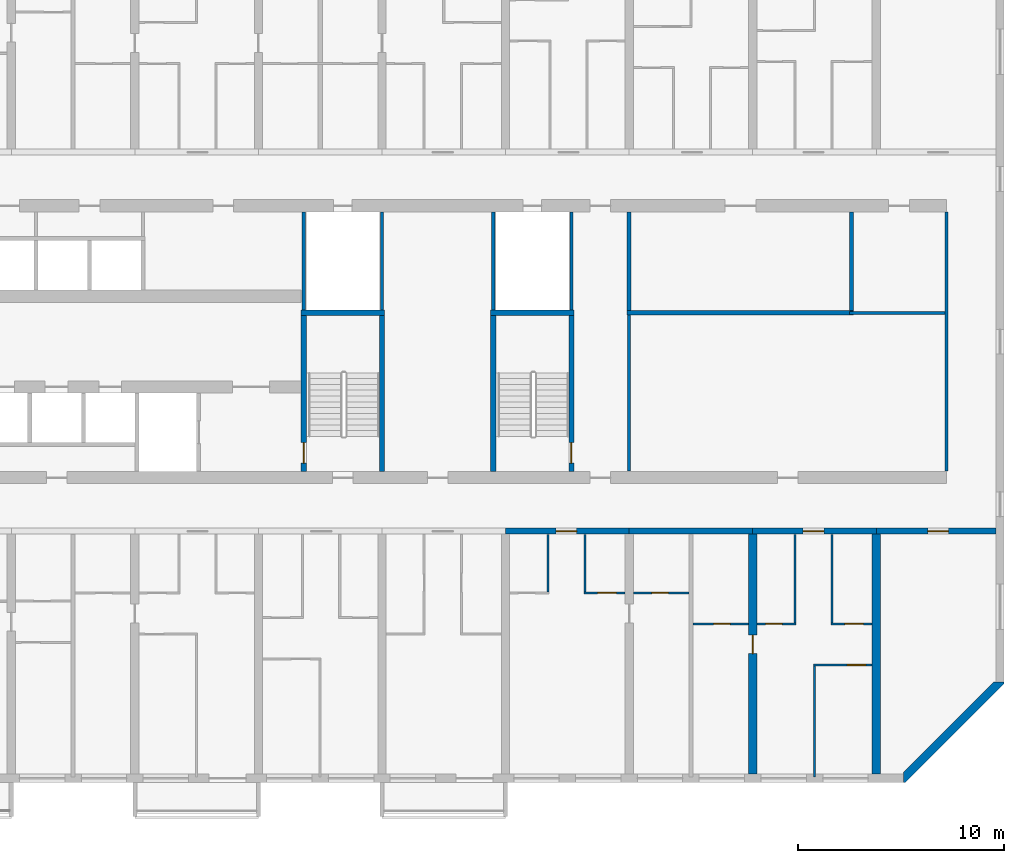
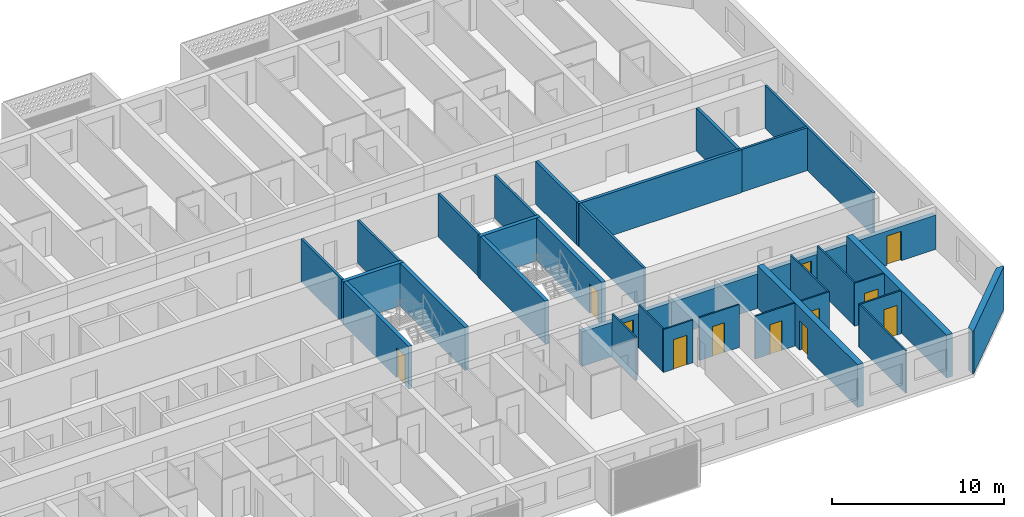
# One storey, part 15 of 40: 34 walls, 12 doors, 12 openings.
"""IFC4 building model written with IfcOpenShell, lengths in metres."""

from ifc_helpers import new_model, si_unit, direction, frame, frame_2d, origin, place, context, subcontext, project, spatial, polyline, rectangle, outline, extrude, material, layer, layer_set, type_object, element, fill, save


model = new_model("IFC4")

# Units and contexts
model_context = context("Model", 3, precision=1e-05, world=origin(), true_north=direction((0.0, 1.0)))
body_context = subcontext(model_context, "Body", "Model", "MODEL_VIEW")
ifc_project = project(units=[si_unit("LENGTHUNIT", "METRE"), si_unit("AREAUNIT", "SQUARE_METRE"), si_unit("VOLUMEUNIT", "CUBIC_METRE"), si_unit("PLANEANGLEUNIT", "RADIAN"), si_unit("MASSUNIT", "GRAM", prefix="KILO")], contexts=[model_context])

# Site, building, storey
site_placement = place(None, origin())
site = spatial("IfcSite", under=ifc_project, at=site_placement, CompositionType="ELEMENT")
building_placement = place(site_placement, origin())
building = spatial("IfcBuilding", under=site, at=building_placement, Name="Poui Terraces", CompositionType="ELEMENT")
storey_placement = place(building_placement, frame((0.0, 0.0, 39.89990234375)))
storey = spatial("IfcBuildingStorey", under=building, at=storey_placement, Name="L10", CompositionType="ELEMENT", Elevation=39.89990234375)

# Walls
ifc_material_1 = material(Name="Fire-rated plasterboard wall")
ifc_layer_1 = layer(ifc_material_1, 0.14990234375)
ifc_layer_set_1 = layer_set([ifc_layer_1], Name="Fire-rated plasterboard wall")
wall_type_1 = type_object("IfcWallType", Name="CORRIDOR WALL 150", PredefinedType="PARTITIONING", material=ifc_layer_set_1)
wall_1_placement = place(storey_placement, frame((84.0, 14.909912109375, 0.0), z_axis=(0.0, 0.0, 1.0), x_axis=(0.0, 1.0, 0.0)))
element("IfcWall", 1, at=wall_1_placement, inside=storey, type_object=wall_type_1, Name="CORRIDOR WALL 150", PredefinedType="PARTITIONING", context=body_context, shape_type="SweptSolid", body=[
    extrude(rectangle(XDim=7.590087890625, YDim=0.14990234375, at=frame_2d((3.794921875, 0.0))), origin(), (0.0, 0.0, 1.0), 3.050048828125),
])
wall_2_placement = place(storey_placement, frame((99.39990234375, 14.909912109375, 0.0), z_axis=(0.0, 0.0, 1.0), x_axis=(0.0, 1.0, 0.0)))
element("IfcWall", 2, at=wall_2_placement, inside=storey, type_object=wall_type_1, Name="CORRIDOR WALL 150", PredefinedType="PARTITIONING", context=body_context, shape_type="SweptSolid", body=[
    extrude(rectangle(XDim=12.580078125, YDim=0.14990234375, at=frame_2d((6.2900390625, 0.0))), origin(), (0.0, 0.0, 1.0), 3.050048828125),
])

# Wall, opening, door
ifc_material_2 = material(Name="Concrete 80 MPa", Category="concrete")
ifc_layer_2 = layer(ifc_material_2, 0.300048828125)
ifc_layer_set_2 = layer_set([ifc_layer_2], Name="Concrete 80 MPa")
wall_type_2 = type_object("IfcWallType", Name="CORRIDOR WALL 300 80MPa", PredefinedType="SHEAR", material=ifc_layer_set_2)
wall_3_placement = place(storey_placement, frame((78.0, 12.0, 0.0), z_axis=(0.0, 0.0, 1.0), x_axis=(1.0, 0.0, 0.0)))
wall_3 = element("IfcWall", 3, at=wall_3_placement, inside=storey, type_object=wall_type_2, Name="CORRIDOR WALL LINE B BAY 14", PredefinedType="SHEAR", context=body_context, shape_type="SweptSolid", body=[
    extrude(rectangle(XDim=6.0, YDim=0.300048828125, at=frame_2d((3.0, 0.0))), origin(), (0.0, 0.0, 1.0), 2.4501953125),
])
opening_1_placement = place(wall_3_placement, frame((2.449951171875, 0.0, 0.0)))
opening_1 = element("IfcOpeningElement", 4, at=opening_1_placement, cuts=wall_3, Name="Opening FD30S", PredefinedType="OPENING", context=body_context, shape_type="SweptSolid", body=[
    extrude(rectangle(XDim=1.0, YDim=2.10009765625, at=frame_2d((0.5, 1.050048828125))), frame((0.0, 0.16015625, 0.0), z_axis=(0.0, -1.0, 0.0), x_axis=(1.0, 0.0, 0.0)), (0.0, 0.0, 1.0), 0.320068359375),
])
ifc_material_3 = material(Name="Steel fire door", Category="steel")
door_type_1 = type_object("IfcDoorType", Name="FLAT ENTRANCE DOOR 1000 X 2100", OperationType="NOTDEFINED", PredefinedType="DOOR", material=ifc_material_3)
door_1_placement = place(opening_1_placement, frame((1.0, 0.0, 0.0), z_axis=(0.0, 0.0, 1.0), x_axis=(-1.0, 0.0, 0.0)))
door_1 = element("IfcDoor", 5, at=door_1_placement, inside=storey, type_object=door_type_1, Name="FLAT ENTRANCE DOOR 139", OperationType="SINGLE_SWING_RIGHT", OverallHeight=2.10009765625, OverallWidth=1.0, PredefinedType="DOOR", context=body_context, shape_type="SweptSolid", body=[
    extrude(rectangle(XDim=1.0, YDim=2.10009765625, at=frame_2d((0.5, 1.050048828125))), frame((0.0, 0.02490234375, 0.0), z_axis=(0.0, -1.0, 0.0), x_axis=(1.0, 0.0, 0.0)), (0.0, 0.0, 1.0), 0.050048828125),
])
fill(opening_1, door_1)

# Wall
wall_4_placement = place(storey_placement, frame((84.0, 12.0, 0.0), z_axis=(0.0, 0.0, 1.0), x_axis=(1.0, 0.0, 0.0)))
element("IfcWall", 6, at=wall_4_placement, inside=storey, type_object=wall_type_2, Name="CORRIDOR WALL LINE B BAY 15", PredefinedType="SHEAR", context=body_context, shape_type="SweptSolid", body=[
    extrude(rectangle(XDim=6.0, YDim=0.300048828125, at=frame_2d((3.0, 0.0))), origin(), (0.0, 0.0, 1.0), 2.4501953125),
])

# Wall, opening, door
wall_5_placement = place(storey_placement, frame((90.0, 12.0, 0.0), z_axis=(0.0, 0.0, 1.0), x_axis=(1.0, 0.0, 0.0)))
wall_5 = element("IfcWall", 7, at=wall_5_placement, inside=storey, type_object=wall_type_2, Name="CORRIDOR WALL LINE B BAY 16", PredefinedType="SHEAR", context=body_context, shape_type="SweptSolid", body=[
    extrude(rectangle(XDim=6.0, YDim=0.300048828125, at=frame_2d((3.0, 0.0))), origin(), (0.0, 0.0, 1.0), 2.4501953125),
])
opening_2_placement = place(wall_5_placement, frame((2.449951171875, 0.0, 0.0)))
opening_2 = element("IfcOpeningElement", 8, at=opening_2_placement, cuts=wall_5, Name="Opening FD30S", PredefinedType="OPENING", context=body_context, shape_type="SweptSolid", body=[
    extrude(rectangle(XDim=1.0, YDim=2.10009765625, at=frame_2d((0.5, 1.050048828125))), frame((0.0, 0.16015625, 0.0), z_axis=(0.0, -1.0, 0.0), x_axis=(1.0, 0.0, 0.0)), (0.0, 0.0, 1.0), 0.320068359375),
])
door_2_placement = place(opening_2_placement, frame((1.0, 0.0, 0.0), z_axis=(0.0, 0.0, 1.0), x_axis=(-1.0, 0.0, 0.0)))
door_2 = element("IfcDoor", 9, at=door_2_placement, inside=storey, type_object=door_type_1, Name="FLAT ENTRANCE DOOR 145", OperationType="SINGLE_SWING_RIGHT", OverallHeight=2.10009765625, OverallWidth=1.0, PredefinedType="DOOR", context=body_context, shape_type="SweptSolid", body=[
    extrude(rectangle(XDim=1.0, YDim=2.10009765625, at=frame_2d((0.5, 1.050048828125))), frame((0.0, 0.02490234375, 0.0), z_axis=(0.0, -1.0, 0.0), x_axis=(1.0, 0.0, 0.0)), (0.0, 0.0, 1.0), 0.050048828125),
])
fill(opening_2, door_2)

wall_6_placement = place(storey_placement, frame((96.0, 12.0, 0.0), z_axis=(0.0, 0.0, 1.0), x_axis=(1.0, 0.0, 0.0)))
wall_6 = element("IfcWall", 10, at=wall_6_placement, inside=storey, type_object=wall_type_2, Name="CORRIDOR WALL LINE B BAY 17", PredefinedType="SHEAR", context=body_context, shape_type="SweptSolid", body=[
    extrude(rectangle(XDim=5.800048828125, YDim=0.300048828125, at=frame_2d((2.89990234375, 0.0))), origin(), (0.0, 0.0, 1.0), 2.4501953125),
])
opening_3_placement = place(wall_6_placement, frame((2.5, 0.0, 0.0)))
opening_3 = element("IfcOpeningElement", 11, at=opening_3_placement, cuts=wall_6, Name="Opening D100", PredefinedType="OPENING", context=body_context, shape_type="SweptSolid", body=[
    extrude(rectangle(XDim=1.0, YDim=2.10009765625, at=frame_2d((0.5, 1.050048828125))), frame((0.0, 0.16015625, 0.0), z_axis=(0.0, -1.0, 0.0), x_axis=(1.0, 0.0, 0.0)), (0.0, 0.0, 1.0), 0.320068359375),
])
ifc_material_4 = material(Name="Solid core timber door", Category="wood")
door_type_2 = type_object("IfcDoorType", Name="ACCESSIBLE INTERNAL DOOR 1000 X 2100", OperationType="NOTDEFINED", PredefinedType="DOOR", material=ifc_material_4)
door_3_placement = place(opening_3_placement, frame((1.0, 0.0, 0.0), z_axis=(0.0, 0.0, 1.0), x_axis=(-1.0, 0.0, 0.0)))
door_3 = element("IfcDoor", 12, at=door_3_placement, inside=storey, type_object=door_type_2, Name="ACCESSIBLE INTERNAL DOOR 148", OperationType="SINGLE_SWING_RIGHT", OverallHeight=2.10009765625, OverallWidth=1.0, PredefinedType="DOOR", context=body_context, shape_type="SweptSolid", body=[
    extrude(rectangle(XDim=1.0, YDim=2.10009765625, at=frame_2d((0.5, 1.050048828125))), frame((0.0, 0.02490234375, 0.0), z_axis=(0.0, -1.0, 0.0), x_axis=(1.0, 0.0, 0.0)), (0.0, 0.0, 1.0), 0.050048828125),
])
fill(opening_3, door_3)

ifc_layer_3 = layer(ifc_material_2, 0.39990234375)
ifc_layer_set_3 = layer_set([ifc_layer_3], Name="Concrete 80 MPa")
wall_type_3 = type_object("IfcWallType", Name="CROSS WALL 400 80MPa", PredefinedType="SHEAR", material=ifc_layer_set_3)
wall_7_placement = place(storey_placement, frame((90.0, 0.199951171875, 0.0), z_axis=(0.0, 0.0, 1.0), x_axis=(0.0, 1.0, 0.0)))
wall_7 = element("IfcWall", 13, at=wall_7_placement, inside=storey, type_object=wall_type_3, Name="CROSS WALL LINE 16 SOUTH", PredefinedType="SHEAR", context=body_context, shape_type="SweptSolid", body=[
    extrude(rectangle(XDim=11.650146484375, YDim=0.39990234375, at=frame_2d((5.8251953125, 0.0))), origin(), (0.0, 0.0, 1.0), 3.050048828125),
])
opening_4_placement = place(wall_7_placement, frame((5.85009765625, 0.0, 0.0)))
opening_4 = element("IfcOpeningElement", 14, at=opening_4_placement, cuts=wall_7, Name="Opening D90", PredefinedType="OPENING", context=body_context, shape_type="SweptSolid", body=[
    extrude(rectangle(XDim=0.89990234375, YDim=2.10009765625, at=frame_2d((0.449951171875, 1.050048828125))), frame((0.0, 0.2099609375, 0.0), z_axis=(0.0, -1.0, 0.0), x_axis=(1.0, 0.0, 0.0)), (0.0, 0.0, 1.0), 0.419921875),
])
door_type_3 = type_object("IfcDoorType", Name="INTERNAL DOOR 900 X 2100", OperationType="NOTDEFINED", PredefinedType="DOOR", material=ifc_material_4)
door_4_placement = place(opening_4_placement, origin())
door_4 = element("IfcDoor", 15, at=door_4_placement, inside=storey, type_object=door_type_3, Name="INTERNAL DOOR 143", OperationType="SINGLE_SWING_RIGHT", OverallHeight=2.10009765625, OverallWidth=0.89990234375, PredefinedType="DOOR", context=body_context, shape_type="SweptSolid", body=[
    extrude(rectangle(XDim=0.89990234375, YDim=2.10009765625, at=frame_2d((0.449951171875, 1.050048828125))), frame((0.0, 0.02490234375, 0.0), z_axis=(0.0, -1.0, 0.0), x_axis=(1.0, 0.0, 0.0)), (0.0, 0.0, 1.0), 0.050048828125),
])
fill(opening_4, door_4)

# Wall
wall_8_placement = place(storey_placement, frame((96.0, 0.199951171875, 0.0), z_axis=(0.0, 0.0, 1.0), x_axis=(0.0, 1.0, 0.0)))
element("IfcWall", 16, at=wall_8_placement, inside=storey, type_object=wall_type_3, Name="CROSS WALL LINE 17 SOUTH", PredefinedType="SHEAR", context=body_context, shape_type="SweptSolid", body=[
    extrude(rectangle(XDim=11.650146484375, YDim=0.39990234375, at=frame_2d((5.8251953125, 0.0))), origin(), (0.0, 0.0, 1.0), 3.050048828125),
])

# Wall, opening, door
ifc_material_5 = material(Name="Plasterboard partition")
ifc_layer_4 = layer(ifc_material_5, 0.10009765625)
ifc_layer_set_4 = layer_set([ifc_layer_4], Name="Plasterboard partition")
wall_type_4 = type_object("IfcWallType", Name="FLAT PARTITION 100", PredefinedType="PARTITIONING", material=ifc_layer_set_4)
wall_9_placement = place(storey_placement, frame((92.949951171875, 5.5, 0.0), z_axis=(0.0, 0.0, 1.0), x_axis=(1.0, 0.0, 0.0)))
wall_9 = element("IfcWall", 17, at=wall_9_placement, inside=storey, type_object=wall_type_4, Name="FLAT PARTITION 100", PredefinedType="PARTITIONING", context=body_context, shape_type="SweptSolid", body=[
    extrude(rectangle(XDim=2.840087890625, YDim=0.10009765625, at=frame_2d((1.419921875, 0.0))), origin(), (0.0, 0.0, 1.0), 3.050048828125),
])
opening_5_placement = place(wall_9_placement, frame((1.64990234375, 0.0, 0.0)))
opening_5 = element("IfcOpeningElement", 18, at=opening_5_placement, cuts=wall_9, Name="Opening D90", PredefinedType="OPENING", context=body_context, shape_type="SweptSolid", body=[
    extrude(rectangle(XDim=0.89990234375, YDim=2.10009765625, at=frame_2d((0.449951171875, 1.050048828125))), frame((0.0, 0.06005859375, 0.0), z_axis=(0.0, -1.0, 0.0), x_axis=(1.0, 0.0, 0.0)), (0.0, 0.0, 1.0), 0.1201171875),
])
door_5_placement = place(opening_5_placement, frame((0.89990234375, 0.0, 0.0), z_axis=(0.0, 0.0, 1.0), x_axis=(-1.0, 0.0, 0.0)))
door_5 = element("IfcDoor", 19, at=door_5_placement, inside=storey, type_object=door_type_3, Name="INTERNAL DOOR 147", OperationType="SINGLE_SWING_LEFT", OverallHeight=2.10009765625, OverallWidth=0.89990234375, PredefinedType="DOOR", context=body_context, shape_type="SweptSolid", body=[
    extrude(rectangle(XDim=0.89990234375, YDim=2.10009765625, at=frame_2d((0.449951171875, 1.050048828125))), frame((0.0, 0.02490234375, 0.0), z_axis=(0.0, -1.0, 0.0), x_axis=(1.0, 0.0, 0.0)), (0.0, 0.0, 1.0), 0.050048828125),
])
fill(opening_5, door_5)

wall_10_placement = place(storey_placement, frame((87.10009765625, 7.5, 0.0), z_axis=(0.0, 0.0, 1.0), x_axis=(1.0, 0.0, 0.0)))
wall_10 = element("IfcWall", 20, at=wall_10_placement, inside=storey, type_object=wall_type_4, Name="FLAT PARTITION 100", PredefinedType="PARTITIONING", context=body_context, shape_type="SweptSolid", body=[
    extrude(rectangle(XDim=2.68994140625, YDim=0.10009765625, at=frame_2d((1.344970703125, 0.0))), origin(), (0.0, 0.0, 1.0), 3.050048828125),
])
opening_6_placement = place(wall_10_placement, frame((1.0, 0.0, 0.0)))
opening_6 = element("IfcOpeningElement", 21, at=opening_6_placement, cuts=wall_10, Name="Opening D80", PredefinedType="OPENING", context=body_context, shape_type="SweptSolid", body=[
    extrude(rectangle(XDim=0.800048828125, YDim=2.10009765625, at=frame_2d((0.39990234375, 1.050048828125))), frame((0.0, 0.06005859375, 0.0), z_axis=(0.0, -1.0, 0.0), x_axis=(1.0, 0.0, 0.0)), (0.0, 0.0, 1.0), 0.1201171875),
])
door_type_4 = type_object("IfcDoorType", Name="BATHROOM, LAUNDRY AND STORE DOOR 800 X 2100", OperationType="NOTDEFINED", PredefinedType="DOOR", material=ifc_material_4)
door_6_placement = place(opening_6_placement, origin())
door_6 = element("IfcDoor", 22, at=door_6_placement, inside=storey, type_object=door_type_4, Name="BATHROOM, LAUNDRY AND STORE DOOR 142", OperationType="SINGLE_SWING_LEFT", OverallHeight=2.10009765625, OverallWidth=0.800048828125, PredefinedType="DOOR", context=body_context, shape_type="SweptSolid", body=[
    extrude(rectangle(XDim=0.800048828125, YDim=2.10009765625, at=frame_2d((0.39990234375, 1.050048828125))), frame((0.0, 0.02490234375, 0.0), z_axis=(0.0, -1.0, 0.0), x_axis=(1.0, 0.0, 0.0)), (0.0, 0.0, 1.0), 0.050048828125),
])
fill(opening_6, door_6)

wall_11_placement = place(storey_placement, frame((90.2099609375, 7.5, 0.0), z_axis=(0.0, 0.0, 1.0), x_axis=(1.0, 0.0, 0.0)))
wall_11 = element("IfcWall", 23, at=wall_11_placement, inside=storey, type_object=wall_type_4, Name="FLAT PARTITION 100", PredefinedType="PARTITIONING", context=body_context, shape_type="SweptSolid", body=[
    extrude(rectangle(XDim=1.89013671875, YDim=0.10009765625, at=frame_2d((0.945068359375, 0.0))), origin(), (0.0, 0.0, 1.0), 3.050048828125),
])
opening_7_placement = place(wall_11_placement, frame((0.4150390625, 0.0, 0.0)))
opening_7 = element("IfcOpeningElement", 24, at=opening_7_placement, cuts=wall_11, Name="Opening D80", PredefinedType="OPENING", context=body_context, shape_type="SweptSolid", body=[
    extrude(rectangle(XDim=0.800048828125, YDim=2.10009765625, at=frame_2d((0.39990234375, 1.050048828125))), frame((0.0, 0.06005859375, 0.0), z_axis=(0.0, -1.0, 0.0), x_axis=(1.0, 0.0, 0.0)), (0.0, 0.0, 1.0), 0.1201171875),
])
door_7_placement = place(opening_7_placement, origin())
door_7 = element("IfcDoor", 25, at=door_7_placement, inside=storey, type_object=door_type_4, Name="BATHROOM, LAUNDRY AND STORE DOOR 144", OperationType="SINGLE_SWING_LEFT", OverallHeight=2.10009765625, OverallWidth=0.800048828125, PredefinedType="DOOR", context=body_context, shape_type="SweptSolid", body=[
    extrude(rectangle(XDim=0.800048828125, YDim=2.10009765625, at=frame_2d((0.39990234375, 1.050048828125))), frame((0.0, 0.02490234375, 0.0), z_axis=(0.0, -1.0, 0.0), x_axis=(1.0, 0.0, 0.0)), (0.0, 0.0, 1.0), 0.050048828125),
])
fill(opening_7, door_7)

wall_12_placement = place(storey_placement, frame((93.800048828125, 7.5, 0.0), z_axis=(0.0, 0.0, 1.0), x_axis=(1.0, 0.0, 0.0)))
wall_12 = element("IfcWall", 26, at=wall_12_placement, inside=storey, type_object=wall_type_4, Name="FLAT PARTITION 100", PredefinedType="PARTITIONING", context=body_context, shape_type="SweptSolid", body=[
    extrude(rectangle(XDim=1.989990234375, YDim=0.10009765625, at=frame_2d((0.9951171875, 0.0))), origin(), (0.0, 0.0, 1.0), 3.050048828125),
])
opening_8_placement = place(wall_12_placement, frame((0.675048828125, 0.0, 0.0)))
opening_8 = element("IfcOpeningElement", 27, at=opening_8_placement, cuts=wall_12, Name="Opening D90", PredefinedType="OPENING", context=body_context, shape_type="SweptSolid", body=[
    extrude(rectangle(XDim=0.89990234375, YDim=2.10009765625, at=frame_2d((0.449951171875, 1.050048828125))), frame((0.0, 0.06005859375, 0.0), z_axis=(0.0, -1.0, 0.0), x_axis=(1.0, 0.0, 0.0)), (0.0, 0.0, 1.0), 0.1201171875),
])
door_8_placement = place(opening_8_placement, origin())
door_8 = element("IfcDoor", 28, at=door_8_placement, inside=storey, type_object=door_type_3, Name="INTERNAL DOOR 146", OperationType="SINGLE_SWING_RIGHT", OverallHeight=2.10009765625, OverallWidth=0.89990234375, PredefinedType="DOOR", context=body_context, shape_type="SweptSolid", body=[
    extrude(rectangle(XDim=0.89990234375, YDim=2.10009765625, at=frame_2d((0.449951171875, 1.050048828125))), frame((0.0, 0.02490234375, 0.0), z_axis=(0.0, -1.0, 0.0), x_axis=(1.0, 0.0, 0.0)), (0.0, 0.0, 1.0), 0.050048828125),
])
fill(opening_8, door_8)

wall_13_placement = place(storey_placement, frame((81.800048828125, 9.0, 0.0), z_axis=(0.0, 0.0, 1.0), x_axis=(1.0, 0.0, 0.0)))
wall_13 = element("IfcWall", 29, at=wall_13_placement, inside=storey, type_object=wall_type_4, Name="FLAT PARTITION 100", PredefinedType="PARTITIONING", context=body_context, shape_type="SweptSolid", body=[
    extrude(rectangle(XDim=1.989990234375, YDim=0.10009765625, at=frame_2d((0.9951171875, 0.0))), origin(), (0.0, 0.0, 1.0), 3.050048828125),
])
opening_9_placement = place(wall_13_placement, frame((0.675048828125, 0.0, 0.0)))
opening_9 = element("IfcOpeningElement", 30, at=opening_9_placement, cuts=wall_13, Name="Opening D90", PredefinedType="OPENING", context=body_context, shape_type="SweptSolid", body=[
    extrude(rectangle(XDim=0.89990234375, YDim=2.10009765625, at=frame_2d((0.449951171875, 1.050048828125))), frame((0.0, 0.06005859375, 0.0), z_axis=(0.0, -1.0, 0.0), x_axis=(1.0, 0.0, 0.0)), (0.0, 0.0, 1.0), 0.1201171875),
])
door_9_placement = place(opening_9_placement, origin())
door_9 = element("IfcDoor", 31, at=door_9_placement, inside=storey, type_object=door_type_3, Name="INTERNAL DOOR 140", OperationType="SINGLE_SWING_RIGHT", OverallHeight=2.10009765625, OverallWidth=0.89990234375, PredefinedType="DOOR", context=body_context, shape_type="SweptSolid", body=[
    extrude(rectangle(XDim=0.89990234375, YDim=2.10009765625, at=frame_2d((0.449951171875, 1.050048828125))), frame((0.0, 0.02490234375, 0.0), z_axis=(0.0, -1.0, 0.0), x_axis=(1.0, 0.0, 0.0)), (0.0, 0.0, 1.0), 0.050048828125),
])
fill(opening_9, door_9)

wall_14_placement = place(storey_placement, frame((84.2099609375, 9.0, 0.0), z_axis=(0.0, 0.0, 1.0), x_axis=(1.0, 0.0, 0.0)))
wall_14 = element("IfcWall", 32, at=wall_14_placement, inside=storey, type_object=wall_type_4, Name="FLAT PARTITION 100", PredefinedType="PARTITIONING", context=body_context, shape_type="SweptSolid", body=[
    extrude(rectangle(XDim=2.68994140625, YDim=0.10009765625, at=frame_2d((1.344970703125, 0.0))), origin(), (0.0, 0.0, 1.0), 3.050048828125),
])
opening_10_placement = place(wall_14_placement, frame((0.889892578125, 0.0, 0.0)))
opening_10 = element("IfcOpeningElement", 33, at=opening_10_placement, cuts=wall_14, Name="Opening D80", PredefinedType="OPENING", context=body_context, shape_type="SweptSolid", body=[
    extrude(rectangle(XDim=0.800048828125, YDim=2.10009765625, at=frame_2d((0.39990234375, 1.050048828125))), frame((0.0, 0.06005859375, 0.0), z_axis=(0.0, -1.0, 0.0), x_axis=(1.0, 0.0, 0.0)), (0.0, 0.0, 1.0), 0.1201171875),
])
door_10_placement = place(opening_10_placement, origin())
door_10 = element("IfcDoor", 34, at=door_10_placement, inside=storey, type_object=door_type_4, Name="BATHROOM, LAUNDRY AND STORE DOOR 137", OperationType="SINGLE_SWING_RIGHT", OverallHeight=2.10009765625, OverallWidth=0.800048828125, PredefinedType="DOOR", context=body_context, shape_type="SweptSolid", body=[
    extrude(rectangle(XDim=0.800048828125, YDim=2.10009765625, at=frame_2d((0.39990234375, 1.050048828125))), frame((0.0, 0.02490234375, 0.0), z_axis=(0.0, -1.0, 0.0), x_axis=(1.0, 0.0, 0.0)), (0.0, 0.0, 1.0), 0.050048828125),
])
fill(opening_10, door_10)

# Walls
for number, where, z_axis, x_axis, name in (
    (35, (80.050048828125, 9.050048828125, 0.0), (0.0, 0.0, 1.0), (0.0, 1.0, 0.0), "FLAT PARTITION 100"),
    (36, (81.85009765625, 9.050048828125, 0.0), (0.0, 0.0, 1.0), (0.0, 1.0, 0.0), "FLAT PARTITION 100"),
):
    element("IfcWall", number, at=place(storey_placement, frame(where, z_axis=z_axis, x_axis=x_axis)), inside=storey, type_object=wall_type_4, Name=name, PredefinedType="PARTITIONING", context=body_context, shape_type="SweptSolid", body=[
        extrude(rectangle(XDim=2.7900390625, YDim=0.10009765625, at=frame_2d((1.39501953125, 0.0))), origin(), (0.0, 0.0, 1.0), 3.050048828125),
    ])
wall_15_placement = place(storey_placement, frame((92.050048828125, 7.550048828125, 0.0), z_axis=(0.0, 0.0, 1.0), x_axis=(0.0, 1.0, 0.0)))
element("IfcWall", 37, at=wall_15_placement, inside=storey, type_object=wall_type_4, Name="FLAT PARTITION 100", PredefinedType="PARTITIONING", context=body_context, shape_type="SweptSolid", body=[
    extrude(rectangle(XDim=4.2900390625, YDim=0.10009765625, at=frame_2d((2.14501953125, 0.0))), origin(), (0.0, 0.0, 1.0), 3.050048828125),
])
wall_16_placement = place(storey_placement, frame((93.0, 0.06005859375, 0.0), z_axis=(0.0, 0.0, 1.0), x_axis=(0.0, 1.0, 0.0)))
element("IfcWall", 38, at=wall_16_placement, inside=storey, type_object=wall_type_4, Name="FLAT PARTITION 100", PredefinedType="PARTITIONING", context=body_context, shape_type="SweptSolid", body=[
    extrude(rectangle(XDim=5.389892578125, YDim=0.10009765625, at=frame_2d((2.69482421875, 0.0))), origin(), (0.0, 0.0, 1.0), 3.050048828125),
])
wall_17_placement = place(storey_placement, frame((93.85009765625, 7.550048828125, 0.0), z_axis=(0.0, 0.0, 1.0), x_axis=(0.0, 1.0, 0.0)))
element("IfcWall", 39, at=wall_17_placement, inside=storey, type_object=wall_type_4, Name="FLAT PARTITION 100", PredefinedType="PARTITIONING", context=body_context, shape_type="SweptSolid", body=[
    extrude(rectangle(XDim=4.2900390625, YDim=0.10009765625, at=frame_2d((2.14501953125, 0.0))), origin(), (0.0, 0.0, 1.0), 3.050048828125),
])
ifc_layer_5 = layer(ifc_material_5, 0.14990234375)
ifc_layer_set_5 = layer_set([ifc_layer_5], Name="Plasterboard partition")
wall_type_5 = type_object("IfcWallType", Name="PARTITION WALL 150", PredefinedType="PARTITIONING", material=ifc_layer_set_5)
wall_18_placement = place(storey_placement, frame((94.699951171875, 22.60009765625, 0.0), z_axis=(0.0, 0.0, 1.0), x_axis=(1.0, 0.0, 0.0)))
element("IfcWall", 40, at=wall_18_placement, inside=storey, type_object=wall_type_5, Name="PARTITION WALL 150", PredefinedType="PARTITIONING", context=body_context, shape_type="SweptSolid", body=[
    extrude(rectangle(XDim=4.625, YDim=0.14990234375, at=frame_2d((2.3125, 0.0))), origin(), (0.0, 0.0, 1.0), 3.050048828125),
])
ifc_material_6 = material(Name="Fire-rated masonry wall", Category="masonry")
ifc_layer_6 = layer(ifc_material_6, 0.199951171875)
ifc_layer_set_6 = layer_set([ifc_layer_6], Name="Fire-rated masonry wall")
wall_type_6 = type_object("IfcWallType", Name="PLANT ROOM WALL 200", PredefinedType="PARTITIONING", material=ifc_layer_set_6)
wall_19_placement = place(storey_placement, frame((83.89990234375, 22.60009765625, 0.0), z_axis=(0.0, 0.0, 1.0), x_axis=(1.0, 0.0, 0.0)))
element("IfcWall", 41, at=wall_19_placement, inside=storey, type_object=wall_type_6, Name="PLANT ROOM WALL 200", PredefinedType="PARTITIONING", context=body_context, shape_type="SweptSolid", body=[
    extrude(rectangle(XDim=11.0, YDim=0.199951171875, at=frame_2d((5.5, 0.0))), origin(), (0.0, 0.0, 1.0), 3.050048828125),
])
for number, where, z_axis, x_axis, name in (
    (42, (84.0, 22.699951171875, 0.0), (0.0, 0.0, 1.0), (0.0, 1.0, 0.0), "PLANT ROOM WALL 200"),
    (43, (94.800048828125, 22.699951171875, 0.0), (0.0, 0.0, 1.0), (0.0, 1.0, 0.0), "PLANT ROOM WALL 200"),
):
    element("IfcWall", number, at=place(storey_placement, frame(where, z_axis=z_axis, x_axis=x_axis)), inside=storey, type_object=wall_type_6, Name=name, PredefinedType="PARTITIONING", context=body_context, shape_type="SweptSolid", body=[
        extrude(rectangle(XDim=4.7900390625, YDim=0.199951171875, at=frame_2d((2.39501953125, 0.0))), origin(), (0.0, 0.0, 1.0), 3.050048828125),
    ])
ifc_material_7 = material(Name="Fire-rated plasterboard riser wall")
ifc_layer_7 = layer(ifc_material_7, 0.14990234375)
ifc_layer_set_7 = layer_set([ifc_layer_7], Name="Fire-rated plasterboard riser wall")
wall_type_7 = type_object("IfcWallType", Name="RISER WALL 150", PredefinedType="PARTITIONING", material=ifc_layer_set_7)
for number, where, z_axis, x_axis, name in (
    (44, (68.199951171875, 22.735107421875, 0.0), (0.0, 0.0, 1.0), (0.0, 1.0, 0.0), "RISER WALL 150"),
    (45, (72.0, 22.735107421875, 0.0), (0.0, 0.0, 1.0), (0.0, 1.0, 0.0), "RISER WALL 150"),
    (46, (77.39990234375, 22.735107421875, 0.0), (0.0, 0.0, 1.0), (0.0, 1.0, 0.0), "RISER WALL 150"),
    (47, (81.199951171875, 22.735107421875, 0.0), (0.0, 0.0, 1.0), (0.0, 1.0, 0.0), "RISER WALL 150"),
):
    element("IfcWall", number, at=place(storey_placement, frame(where, z_axis=z_axis, x_axis=x_axis)), inside=storey, type_object=wall_type_7, Name=name, PredefinedType="PARTITIONING", context=body_context, shape_type="SweptSolid", body=[
        extrude(rectangle(XDim=4.7548828125, YDim=0.14990234375, at=frame_2d((2.37744140625, 0.0))), origin(), (0.0, 0.0, 1.0), 3.050048828125),
    ])

# Wall, opening, door
ifc_layer_8 = layer(ifc_material_2, 0.25)
ifc_layer_set_8 = layer_set([ifc_layer_8], Name="Concrete 80 MPa")
wall_type_8 = type_object("IfcWallType", Name="STAIR CORE WALL 250 80 MPA", PredefinedType="SOLIDWALL", material=ifc_layer_set_8)
wall_20_placement = place(storey_placement, frame((68.199951171875, 14.89990234375, 0.0), z_axis=(0.0, 0.0, 1.0), x_axis=(0.0, 1.0, 0.0)))
wall_20 = element("IfcWall", 48, at=wall_20_placement, inside=storey, type_object=wall_type_8, Name="STAIR CORE WALL", PredefinedType="SOLIDWALL", context=body_context, shape_type="SweptSolid", body=[
    extrude(rectangle(XDim=7.5751953125, YDim=0.25, at=frame_2d((3.78759765625, 0.0))), origin(), (0.0, 0.0, 1.0), 3.050048828125),
])
opening_11_placement = place(wall_20_placement, frame((0.39990234375, 0.0, 0.0)))
opening_11 = element("IfcOpeningElement", 49, at=opening_11_placement, cuts=wall_20, Name="Opening FD60S", PredefinedType="OPENING", context=body_context, shape_type="SweptSolid", body=[
    extrude(rectangle(XDim=1.0, YDim=2.10009765625, at=frame_2d((0.5, 1.050048828125))), frame((0.0, 0.135009765625, 0.0), z_axis=(0.0, -1.0, 0.0), x_axis=(1.0, 0.0, 0.0)), (0.0, 0.0, 1.0), 0.27001953125),
])
door_type_5 = type_object("IfcDoorType", Name="STAIR DOOR 1000 X 2100", OperationType="NOTDEFINED", PredefinedType="DOOR", material=ifc_material_3)
door_11_placement = place(opening_11_placement, frame((1.0, 0.0, 0.0), z_axis=(0.0, 0.0, 1.0), x_axis=(-1.0, 0.0, 0.0)))
door_11 = element("IfcDoor", 50, at=door_11_placement, inside=storey, type_object=door_type_5, Name="STAIR DOOR 150", OperationType="SINGLE_SWING_LEFT", OverallHeight=2.10009765625, OverallWidth=1.0, PredefinedType="DOOR", context=body_context, shape_type="SweptSolid", body=[
    extrude(rectangle(XDim=1.0, YDim=2.10009765625, at=frame_2d((0.5, 1.050048828125))), frame((0.0, 0.02490234375, 0.0), z_axis=(0.0, -1.0, 0.0), x_axis=(1.0, 0.0, 0.0)), (0.0, 0.0, 1.0), 0.050048828125),
])
fill(opening_11, door_11)

# Walls
wall_21_placement = place(storey_placement, frame((72.0, 14.89990234375, 0.0), z_axis=(0.0, 0.0, 1.0), x_axis=(0.0, 1.0, 0.0)))
element("IfcWall", 51, at=wall_21_placement, inside=storey, type_object=wall_type_8, Name="STAIR CORE WALL", PredefinedType="SOLIDWALL", context=body_context, shape_type="SweptSolid", body=[
    extrude(rectangle(XDim=7.5751953125, YDim=0.25, at=frame_2d((3.78759765625, 0.0))), origin(), (0.0, 0.0, 1.0), 3.050048828125),
])
wall_22_placement = place(storey_placement, frame((68.074951171875, 22.60009765625, 0.0), z_axis=(0.0, 0.0, 1.0), x_axis=(1.0, 0.0, 0.0)))
element("IfcWall", 52, at=wall_22_placement, inside=storey, type_object=wall_type_8, Name="STAIR CORE WALL", PredefinedType="SOLIDWALL", context=body_context, shape_type="SweptSolid", body=[
    extrude(rectangle(XDim=4.050048828125, YDim=0.25, at=frame_2d((2.02490234375, 0.0))), origin(), (0.0, 0.0, 1.0), 3.050048828125),
])
wall_23_placement = place(storey_placement, frame((77.39990234375, 14.89990234375, 0.0), z_axis=(0.0, 0.0, 1.0), x_axis=(0.0, 1.0, 0.0)))
element("IfcWall", 53, at=wall_23_placement, inside=storey, type_object=wall_type_8, Name="STAIR CORE WALL", PredefinedType="SOLIDWALL", context=body_context, shape_type="SweptSolid", body=[
    extrude(rectangle(XDim=7.5751953125, YDim=0.25, at=frame_2d((3.78759765625, 0.0))), origin(), (0.0, 0.0, 1.0), 3.050048828125),
])

# Wall, opening, door
wall_24_placement = place(storey_placement, frame((81.199951171875, 14.89990234375, 0.0), z_axis=(0.0, 0.0, 1.0), x_axis=(0.0, 1.0, 0.0)))
wall_24 = element("IfcWall", 54, at=wall_24_placement, inside=storey, type_object=wall_type_8, Name="STAIR CORE WALL", PredefinedType="SOLIDWALL", context=body_context, shape_type="SweptSolid", body=[
    extrude(rectangle(XDim=7.5751953125, YDim=0.25, at=frame_2d((3.78759765625, 0.0))), origin(), (0.0, 0.0, 1.0), 3.050048828125),
])
opening_12_placement = place(wall_24_placement, frame((0.39990234375, 0.0, 0.0)))
opening_12 = element("IfcOpeningElement", 55, at=opening_12_placement, cuts=wall_24, Name="Opening FD60S", PredefinedType="OPENING", context=body_context, shape_type="SweptSolid", body=[
    extrude(rectangle(XDim=1.0, YDim=2.10009765625, at=frame_2d((0.5, 1.050048828125))), frame((0.0, 0.135009765625, 0.0), z_axis=(0.0, -1.0, 0.0), x_axis=(1.0, 0.0, 0.0)), (0.0, 0.0, 1.0), 0.27001953125),
])
door_12_placement = place(opening_12_placement, origin())
door_12 = element("IfcDoor", 56, at=door_12_placement, inside=storey, type_object=door_type_5, Name="STAIR DOOR 164", OperationType="SINGLE_SWING_LEFT", OverallHeight=2.10009765625, OverallWidth=1.0, PredefinedType="DOOR", context=body_context, shape_type="SweptSolid", body=[
    extrude(rectangle(XDim=1.0, YDim=2.10009765625, at=frame_2d((0.5, 1.050048828125))), frame((0.0, 0.02490234375, 0.0), z_axis=(0.0, -1.0, 0.0), x_axis=(1.0, 0.0, 0.0)), (0.0, 0.0, 1.0), 0.050048828125),
])
fill(opening_12, door_12)

# Walls
wall_25_placement = place(storey_placement, frame((77.27490234375, 22.60009765625, 0.0), z_axis=(0.0, 0.0, 1.0), x_axis=(1.0, 0.0, 0.0)))
element("IfcWall", 57, at=wall_25_placement, inside=storey, type_object=wall_type_8, Name="STAIR CORE WALL", PredefinedType="SOLIDWALL", context=body_context, shape_type="SweptSolid", body=[
    extrude(rectangle(XDim=4.050048828125, YDim=0.25, at=frame_2d((2.02490234375, 0.0))), origin(), (0.0, 0.0, 1.0), 3.050048828125),
])
ifc_material_8 = material(Name="Precast concrete 40 MPa", Category="concrete")
ifc_layer_9 = layer(ifc_material_8, 0.39990234375)
ifc_layer_set_9 = layer_set([ifc_layer_9], Name="Precast concrete 40 MPa")
wall_type_9 = type_object("IfcWallType", Name="TERRACOTTA CLAD CHAMFER WALL 400", PredefinedType="STANDARD", material=ifc_layer_set_9)
wall_26_placement = place(storey_placement, origin())
element("IfcWall", 58, at=wall_26_placement, inside=storey, type_object=wall_type_9, Name="CHAMFER WALL CH01", PredefinedType="STANDARD", context=body_context, shape_type="SweptSolid", body=[
    extrude(outline(polyline([(97.317138671875, -0.199951171875), (97.39990234375, -0.199951171875), (102.199951171875, 4.60009765625), (102.199951171875, 4.682861328125), (101.71728515625, 4.682861328125), (97.317138671875, 0.28271484375), (97.317138671875, -0.199951171875)])), origin(), (0.0, 0.0, 1.0), 3.050048828125),
])

save(model, "model.ifc")
